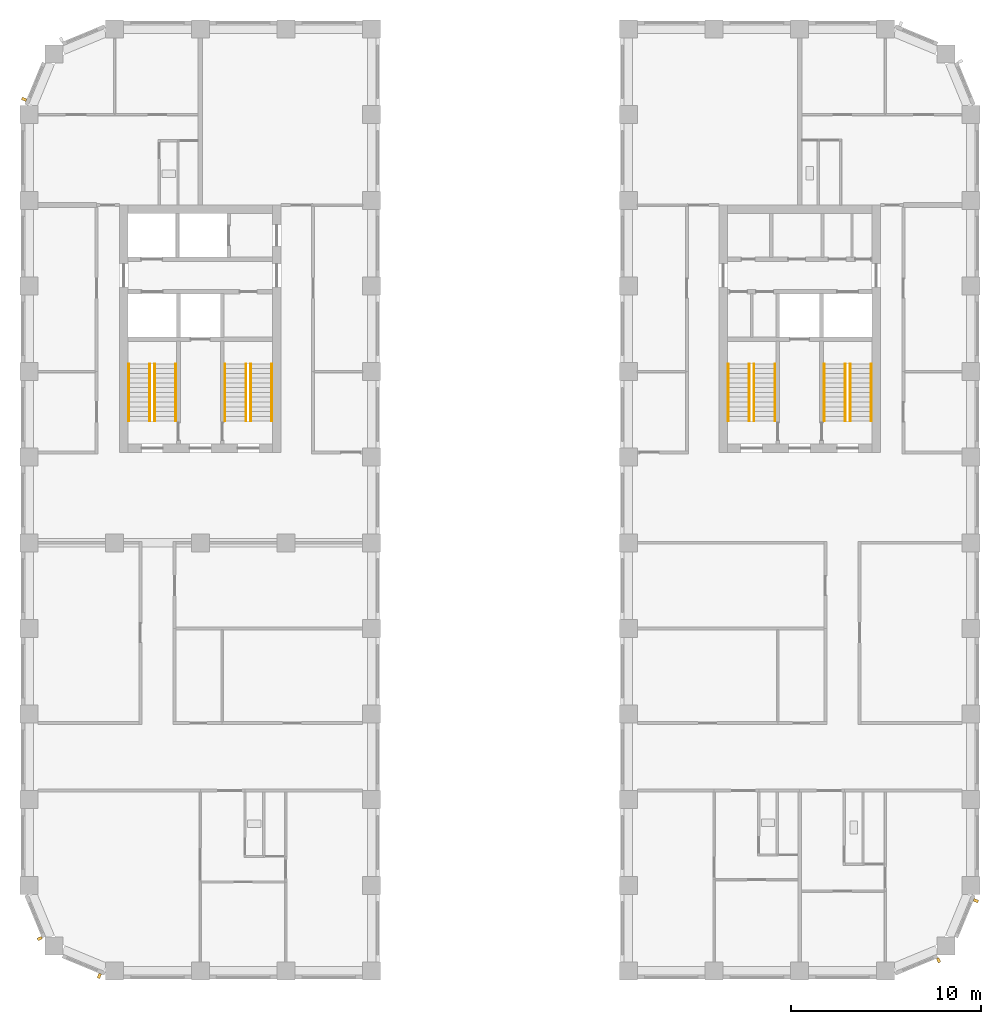
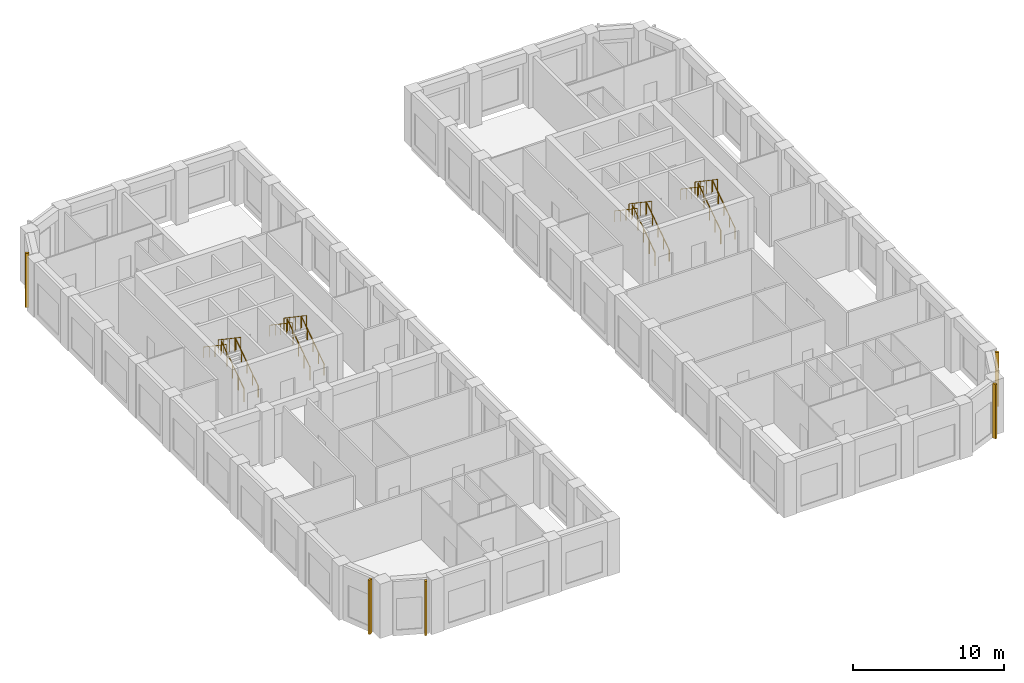
# One storey, part 11 of 13: 16 railings, 5 shading devices.
"""IFC4 building model written with IfcOpenShell, lengths in metres."""

from ifc_helpers import new_model, si_unit, direction, frame, origin, origin_2d, place, context, subcontext, project, spatial, rectangle, circle, extrude, material, type_object, element, save


model = new_model("IFC4")

# Units and contexts
model_context = context("Model", 3, precision=1e-05, world=origin(), true_north=direction((0.0, 1.0)))
body_context = subcontext(model_context, "Body", "Model", "MODEL_VIEW")
ifc_project = project(units=[si_unit("LENGTHUNIT", "METRE"), si_unit("AREAUNIT", "SQUARE_METRE"), si_unit("VOLUMEUNIT", "CUBIC_METRE"), si_unit("PLANEANGLEUNIT", "RADIAN"), si_unit("MASSUNIT", "GRAM", prefix="KILO")], contexts=[model_context])

# Site, building, storey
site_placement = place(None, origin())
site = spatial("IfcSite", under=ifc_project, at=site_placement, CompositionType="ELEMENT")
building_placement = place(site_placement, origin())
building = spatial("IfcBuilding", under=site, at=building_placement, Name="Girih Gate Residences", CompositionType="ELEMENT")
storey_placement = place(building_placement, frame((0.0, 0.0, 150.60009765625)))
storey = spatial("IfcBuildingStorey", under=building, at=storey_placement, Name="L42", CompositionType="ELEMENT", Elevation=150.60009765625)

# Shading devices
ifc_material_1 = material(Name="Precast concrete C50/60", Category="concrete")
shading_device_type = type_object("IfcShadingDeviceType", Name="Corner rib 150x250", PredefinedType="USERDEFINED", material=ifc_material_1)
for number, where, z_axis, x_axis, name in (
    (1, (-0.260498046875, 45.808349609375, 0.0), (0.0, 0.0, 1.0), (-0.382683432365, -0.923879532511, 0.0), "Corner rib NW0013_0482.0"),
    (2, (0.562255859375, 1.705322265625, 0.0), (0.0, 0.0, 1.0), (0.382683432365, -0.923879532511, 0.0), "Corner rib SW0000_0045.0"),
    (3, (3.691650390625, -0.260498046875, 0.0), (0.0, 0.0, 1.0), (0.923879532511, -0.382683432365, 0.0), "Corner rib SW0013_0013.0"),
    (4, (47.794677734375, 0.562255859375, 0.0), (0.0, 0.0, 1.0), (0.923879532511, 0.382683432365, 0.0), "Corner rib SE0450_0000.0"),
    (5, (49.760498046875, 3.691650390625, 0.0), (0.0, 0.0, 1.0), (0.382683432365, 0.923879532511, 0.0), "Corner rib SE0482_0013.0"),
):
    element("IfcShadingDevice", number, at=place(storey_placement, frame(where, z_axis=z_axis, x_axis=x_axis)), inside=storey, type_object=shading_device_type, Name=name, ObjectType="FIN", PredefinedType="USERDEFINED", context=body_context, shape_type="SweptSolid", body=[
        extrude(rectangle(XDim=0.14990234375, YDim=0.25, at=origin_2d()), origin(), (0.0, 0.0, 1.0), 4.39990234375),
    ])

# Railings
ifc_material_2 = material(Name="Stainless steel", Category="steel")
railing_type_1 = type_object("IfcRailingType", Name="Stair guard 1100", PredefinedType="GUARDRAIL", material=ifc_material_2)
railing_1_placement = place(storey_placement, frame((6.60009765625, 28.89990234375, 0.169189453125)))
element("IfcRailing", 6, at=railing_1_placement, inside=storey, type_object=railing_type_1, Name="L42 ST-W1 stair guard 1", PredefinedType="GUARDRAIL", context=body_context, shape_type="SweptSolid", body=[
    extrude(circle(Radius=0.02392578125, at=origin_2d()), frame((0.0, 0.0, 1.076171875), z_axis=(0.0, 0.828110434718, 0.560564989908), x_axis=(-1.0, 0.0, 0.0)), (0.0, 0.0, 1.0), 3.622802734375),
    extrude(circle(Radius=0.02099609375, at=origin_2d()), origin(), (0.0, 0.0, 1.0), 1.052001953125),
    extrude(circle(Radius=0.02099609375, at=origin_2d()), frame((0.0, 0.75, 0.5078125)), (0.0, 0.0, 1.0), 1.052001953125),
    extrude(circle(Radius=0.02099609375, at=origin_2d()), frame((0.0, 1.5, 1.015380859375)), (0.0, 0.0, 1.0), 1.052001953125),
    extrude(circle(Radius=0.02099609375, at=origin_2d()), frame((0.0, 2.25, 1.52294921875)), (0.0, 0.0, 1.0), 1.052001953125),
    extrude(circle(Radius=0.02099609375, at=origin_2d()), frame((0.0, 3.0, 2.03076171875)), (0.0, 0.0, 1.0), 1.052001953125),
])
railing_2_placement = place(storey_placement, frame((6.35009765625, 31.89990234375, 2.369140625)))
element("IfcRailing", 7, at=railing_2_placement, inside=storey, type_object=railing_type_1, Name="L42 ST-W1 stair guard 2", PredefinedType="GUARDRAIL", context=body_context, shape_type="SweptSolid", body=[
    extrude(circle(Radius=0.02392578125, at=origin_2d()), frame((0.0, 0.0, 1.076171875), z_axis=(0.0, -0.828110434718, 0.560564989908), x_axis=(1.0, 0.0, 0.0)), (0.0, 0.0, 1.0), 3.622802734375),
    extrude(circle(Radius=0.02099609375, at=origin_2d()), origin(), (0.0, 0.0, 1.0), 1.052001953125),
    extrude(circle(Radius=0.02099609375, at=origin_2d()), frame((0.0, -0.75, 0.5078125)), (0.0, 0.0, 1.0), 1.052001953125),
    extrude(circle(Radius=0.02099609375, at=origin_2d()), frame((0.0, -1.5, 1.015380859375)), (0.0, 0.0, 1.0), 1.052001953125),
    extrude(circle(Radius=0.02099609375, at=origin_2d()), frame((0.0, -2.25, 1.52294921875)), (0.0, 0.0, 1.0), 1.052001953125),
    extrude(circle(Radius=0.02099609375, at=origin_2d()), frame((0.0, -3.0, 2.03076171875)), (0.0, 0.0, 1.0), 1.052001953125),
])
railing_3_placement = place(storey_placement, frame((11.64990234375, 28.89990234375, 0.169189453125)))
element("IfcRailing", 8, at=railing_3_placement, inside=storey, type_object=railing_type_1, Name="L42 ST-W2 stair guard 1", PredefinedType="GUARDRAIL", context=body_context, shape_type="SweptSolid", body=[
    extrude(circle(Radius=0.02392578125, at=origin_2d()), frame((0.0, 0.0, 1.076171875), z_axis=(0.0, 0.828110434718, 0.560564989908), x_axis=(-1.0, 0.0, 0.0)), (0.0, 0.0, 1.0), 3.622802734375),
    extrude(circle(Radius=0.02099609375, at=origin_2d()), origin(), (0.0, 0.0, 1.0), 1.052001953125),
    extrude(circle(Radius=0.02099609375, at=origin_2d()), frame((0.0, 0.75, 0.5078125)), (0.0, 0.0, 1.0), 1.052001953125),
    extrude(circle(Radius=0.02099609375, at=origin_2d()), frame((0.0, 1.5, 1.015380859375)), (0.0, 0.0, 1.0), 1.052001953125),
    extrude(circle(Radius=0.02099609375, at=origin_2d()), frame((0.0, 2.25, 1.52294921875)), (0.0, 0.0, 1.0), 1.052001953125),
    extrude(circle(Radius=0.02099609375, at=origin_2d()), frame((0.0, 3.0, 2.03076171875)), (0.0, 0.0, 1.0), 1.052001953125),
])
railing_4_placement = place(storey_placement, frame((11.39990234375, 31.89990234375, 2.369140625)))
element("IfcRailing", 9, at=railing_4_placement, inside=storey, type_object=railing_type_1, Name="L42 ST-W2 stair guard 2", PredefinedType="GUARDRAIL", context=body_context, shape_type="SweptSolid", body=[
    extrude(circle(Radius=0.02392578125, at=origin_2d()), frame((0.0, 0.0, 1.076171875), z_axis=(0.0, -0.828110434718, 0.560564989908), x_axis=(1.0, 0.0, 0.0)), (0.0, 0.0, 1.0), 3.622802734375),
    extrude(circle(Radius=0.02099609375, at=origin_2d()), origin(), (0.0, 0.0, 1.0), 1.052001953125),
    extrude(circle(Radius=0.02099609375, at=origin_2d()), frame((0.0, -0.75, 0.5078125)), (0.0, 0.0, 1.0), 1.052001953125),
    extrude(circle(Radius=0.02099609375, at=origin_2d()), frame((0.0, -1.5, 1.015380859375)), (0.0, 0.0, 1.0), 1.052001953125),
    extrude(circle(Radius=0.02099609375, at=origin_2d()), frame((0.0, -2.25, 1.52294921875)), (0.0, 0.0, 1.0), 1.052001953125),
    extrude(circle(Radius=0.02099609375, at=origin_2d()), frame((0.0, -3.0, 2.03076171875)), (0.0, 0.0, 1.0), 1.052001953125),
])
railing_5_placement = place(storey_placement, frame((43.14990234375, 28.89990234375, 0.169189453125)))
element("IfcRailing", 10, at=railing_5_placement, inside=storey, type_object=railing_type_1, Name="L42 ST-E1 stair guard 1", PredefinedType="GUARDRAIL", context=body_context, shape_type="SweptSolid", body=[
    extrude(circle(Radius=0.02392578125, at=origin_2d()), frame((0.0, 0.0, 1.076171875), z_axis=(0.0, 0.828110434718, 0.560564989908), x_axis=(-1.0, 0.0, 0.0)), (0.0, 0.0, 1.0), 3.622802734375),
    extrude(circle(Radius=0.02099609375, at=origin_2d()), origin(), (0.0, 0.0, 1.0), 1.052001953125),
    extrude(circle(Radius=0.02099609375, at=origin_2d()), frame((0.0, 0.75, 0.5078125)), (0.0, 0.0, 1.0), 1.052001953125),
    extrude(circle(Radius=0.02099609375, at=origin_2d()), frame((0.0, 1.5, 1.015380859375)), (0.0, 0.0, 1.0), 1.052001953125),
    extrude(circle(Radius=0.02099609375, at=origin_2d()), frame((0.0, 2.25, 1.52294921875)), (0.0, 0.0, 1.0), 1.052001953125),
    extrude(circle(Radius=0.02099609375, at=origin_2d()), frame((0.0, 3.0, 2.03076171875)), (0.0, 0.0, 1.0), 1.052001953125),
])
railing_6_placement = place(storey_placement, frame((42.89990234375, 31.89990234375, 2.369140625)))
element("IfcRailing", 11, at=railing_6_placement, inside=storey, type_object=railing_type_1, Name="L42 ST-E1 stair guard 2", PredefinedType="GUARDRAIL", context=body_context, shape_type="SweptSolid", body=[
    extrude(circle(Radius=0.02392578125, at=origin_2d()), frame((0.0, 0.0, 1.076171875), z_axis=(0.0, -0.828110434718, 0.560564989908), x_axis=(1.0, 0.0, 0.0)), (0.0, 0.0, 1.0), 3.622802734375),
    extrude(circle(Radius=0.02099609375, at=origin_2d()), origin(), (0.0, 0.0, 1.0), 1.052001953125),
    extrude(circle(Radius=0.02099609375, at=origin_2d()), frame((0.0, -0.75, 0.5078125)), (0.0, 0.0, 1.0), 1.052001953125),
    extrude(circle(Radius=0.02099609375, at=origin_2d()), frame((0.0, -1.5, 1.015380859375)), (0.0, 0.0, 1.0), 1.052001953125),
    extrude(circle(Radius=0.02099609375, at=origin_2d()), frame((0.0, -2.25, 1.52294921875)), (0.0, 0.0, 1.0), 1.052001953125),
    extrude(circle(Radius=0.02099609375, at=origin_2d()), frame((0.0, -3.0, 2.03076171875)), (0.0, 0.0, 1.0), 1.052001953125),
])
railing_7_placement = place(storey_placement, frame((38.10009765625, 28.89990234375, 0.169189453125)))
element("IfcRailing", 12, at=railing_7_placement, inside=storey, type_object=railing_type_1, Name="L42 ST-E2 stair guard 1", PredefinedType="GUARDRAIL", context=body_context, shape_type="SweptSolid", body=[
    extrude(circle(Radius=0.02392578125, at=origin_2d()), frame((0.0, 0.0, 1.076171875), z_axis=(0.0, 0.828110434718, 0.560564989908), x_axis=(-1.0, 0.0, 0.0)), (0.0, 0.0, 1.0), 3.622802734375),
    extrude(circle(Radius=0.02099609375, at=origin_2d()), origin(), (0.0, 0.0, 1.0), 1.052001953125),
    extrude(circle(Radius=0.02099609375, at=origin_2d()), frame((0.0, 0.75, 0.5078125)), (0.0, 0.0, 1.0), 1.052001953125),
    extrude(circle(Radius=0.02099609375, at=origin_2d()), frame((0.0, 1.5, 1.015380859375)), (0.0, 0.0, 1.0), 1.052001953125),
    extrude(circle(Radius=0.02099609375, at=origin_2d()), frame((0.0, 2.25, 1.52294921875)), (0.0, 0.0, 1.0), 1.052001953125),
    extrude(circle(Radius=0.02099609375, at=origin_2d()), frame((0.0, 3.0, 2.03076171875)), (0.0, 0.0, 1.0), 1.052001953125),
])
railing_8_placement = place(storey_placement, frame((37.85009765625, 31.89990234375, 2.369140625)))
element("IfcRailing", 13, at=railing_8_placement, inside=storey, type_object=railing_type_1, Name="L42 ST-E2 stair guard 2", PredefinedType="GUARDRAIL", context=body_context, shape_type="SweptSolid", body=[
    extrude(circle(Radius=0.02392578125, at=origin_2d()), frame((0.0, 0.0, 1.076171875), z_axis=(0.0, -0.828110434718, 0.560564989908), x_axis=(1.0, 0.0, 0.0)), (0.0, 0.0, 1.0), 3.622802734375),
    extrude(circle(Radius=0.02099609375, at=origin_2d()), origin(), (0.0, 0.0, 1.0), 1.052001953125),
    extrude(circle(Radius=0.02099609375, at=origin_2d()), frame((0.0, -0.75, 0.5078125)), (0.0, 0.0, 1.0), 1.052001953125),
    extrude(circle(Radius=0.02099609375, at=origin_2d()), frame((0.0, -1.5, 1.015380859375)), (0.0, 0.0, 1.0), 1.052001953125),
    extrude(circle(Radius=0.02099609375, at=origin_2d()), frame((0.0, -2.25, 1.52294921875)), (0.0, 0.0, 1.0), 1.052001953125),
    extrude(circle(Radius=0.02099609375, at=origin_2d()), frame((0.0, -3.0, 2.03076171875)), (0.0, 0.0, 1.0), 1.052001953125),
])
railing_type_2 = type_object("IfcRailingType", Name="Stair handrail 900", PredefinedType="HANDRAIL", material=ifc_material_2)
railing_9_placement = place(storey_placement, frame((7.699951171875, 28.89990234375, 0.169189453125)))
element("IfcRailing", 14, at=railing_9_placement, inside=storey, type_object=railing_type_2, Name="L42 ST-W1 stair handrail 1", PredefinedType="HANDRAIL", context=body_context, shape_type="SweptSolid", body=[
    extrude(circle(Radius=0.02392578125, at=origin_2d()), frame((0.0, 0.0, 0.8857421875), z_axis=(0.0, 0.828110434718, 0.560564989908), x_axis=(-1.0, 0.0, 0.0)), (0.0, 0.0, 1.0), 3.622802734375),
    extrude(circle(Radius=0.02099609375, at=origin_2d()), origin(), (0.0, 0.0, 1.0), 0.86181640625),
    extrude(circle(Radius=0.02099609375, at=origin_2d()), frame((0.0, 0.75, 0.5078125)), (0.0, 0.0, 1.0), 0.86181640625),
    extrude(circle(Radius=0.02099609375, at=origin_2d()), frame((0.0, 1.5, 1.015380859375)), (0.0, 0.0, 1.0), 0.86181640625),
    extrude(circle(Radius=0.02099609375, at=origin_2d()), frame((0.0, 2.25, 1.52294921875)), (0.0, 0.0, 1.0), 0.86181640625),
    extrude(circle(Radius=0.02099609375, at=origin_2d()), frame((0.0, 3.0, 2.03076171875)), (0.0, 0.0, 1.0), 0.86181640625),
])
railing_10_placement = place(storey_placement, frame((5.25, 31.89990234375, 2.369140625)))
element("IfcRailing", 15, at=railing_10_placement, inside=storey, type_object=railing_type_2, Name="L42 ST-W1 stair handrail 2", PredefinedType="HANDRAIL", context=body_context, shape_type="SweptSolid", body=[
    extrude(circle(Radius=0.02392578125, at=origin_2d()), frame((0.0, 0.0, 0.8857421875), z_axis=(0.0, -0.828110434718, 0.560564989908), x_axis=(1.0, 0.0, 0.0)), (0.0, 0.0, 1.0), 3.622802734375),
    extrude(circle(Radius=0.02099609375, at=origin_2d()), origin(), (0.0, 0.0, 1.0), 0.86181640625),
    extrude(circle(Radius=0.02099609375, at=origin_2d()), frame((0.0, -0.75, 0.5078125)), (0.0, 0.0, 1.0), 0.86181640625),
    extrude(circle(Radius=0.02099609375, at=origin_2d()), frame((0.0, -1.5, 1.015380859375)), (0.0, 0.0, 1.0), 0.86181640625),
    extrude(circle(Radius=0.02099609375, at=origin_2d()), frame((0.0, -2.25, 1.52294921875)), (0.0, 0.0, 1.0), 0.86181640625),
    extrude(circle(Radius=0.02099609375, at=origin_2d()), frame((0.0, -3.0, 2.03076171875)), (0.0, 0.0, 1.0), 0.86181640625),
])
railing_11_placement = place(storey_placement, frame((12.75, 28.89990234375, 0.169189453125)))
element("IfcRailing", 16, at=railing_11_placement, inside=storey, type_object=railing_type_2, Name="L42 ST-W2 stair handrail 1", PredefinedType="HANDRAIL", context=body_context, shape_type="SweptSolid", body=[
    extrude(circle(Radius=0.02392578125, at=origin_2d()), frame((0.0, 0.0, 0.8857421875), z_axis=(0.0, 0.828110434718, 0.560564989908), x_axis=(-1.0, 0.0, 0.0)), (0.0, 0.0, 1.0), 3.622802734375),
    extrude(circle(Radius=0.02099609375, at=origin_2d()), origin(), (0.0, 0.0, 1.0), 0.86181640625),
    extrude(circle(Radius=0.02099609375, at=origin_2d()), frame((0.0, 0.75, 0.5078125)), (0.0, 0.0, 1.0), 0.86181640625),
    extrude(circle(Radius=0.02099609375, at=origin_2d()), frame((0.0, 1.5, 1.015380859375)), (0.0, 0.0, 1.0), 0.86181640625),
    extrude(circle(Radius=0.02099609375, at=origin_2d()), frame((0.0, 2.25, 1.52294921875)), (0.0, 0.0, 1.0), 0.86181640625),
    extrude(circle(Radius=0.02099609375, at=origin_2d()), frame((0.0, 3.0, 2.03076171875)), (0.0, 0.0, 1.0), 0.86181640625),
])
railing_12_placement = place(storey_placement, frame((10.300048828125, 31.89990234375, 2.369140625)))
element("IfcRailing", 17, at=railing_12_placement, inside=storey, type_object=railing_type_2, Name="L42 ST-W2 stair handrail 2", PredefinedType="HANDRAIL", context=body_context, shape_type="SweptSolid", body=[
    extrude(circle(Radius=0.02392578125, at=origin_2d()), frame((0.0, 0.0, 0.8857421875), z_axis=(0.0, -0.828110434718, 0.560564989908), x_axis=(1.0, 0.0, 0.0)), (0.0, 0.0, 1.0), 3.622802734375),
    extrude(circle(Radius=0.02099609375, at=origin_2d()), origin(), (0.0, 0.0, 1.0), 0.86181640625),
    extrude(circle(Radius=0.02099609375, at=origin_2d()), frame((0.0, -0.75, 0.5078125)), (0.0, 0.0, 1.0), 0.86181640625),
    extrude(circle(Radius=0.02099609375, at=origin_2d()), frame((0.0, -1.5, 1.015380859375)), (0.0, 0.0, 1.0), 0.86181640625),
    extrude(circle(Radius=0.02099609375, at=origin_2d()), frame((0.0, -2.25, 1.52294921875)), (0.0, 0.0, 1.0), 0.86181640625),
    extrude(circle(Radius=0.02099609375, at=origin_2d()), frame((0.0, -3.0, 2.03076171875)), (0.0, 0.0, 1.0), 0.86181640625),
])
railing_13_placement = place(storey_placement, frame((44.25, 28.89990234375, 0.169189453125)))
element("IfcRailing", 18, at=railing_13_placement, inside=storey, type_object=railing_type_2, Name="L42 ST-E1 stair handrail 1", PredefinedType="HANDRAIL", context=body_context, shape_type="SweptSolid", body=[
    extrude(circle(Radius=0.02392578125, at=origin_2d()), frame((0.0, 0.0, 0.8857421875), z_axis=(0.0, 0.828110434718, 0.560564989908), x_axis=(-1.0, 0.0, 0.0)), (0.0, 0.0, 1.0), 3.622802734375),
    extrude(circle(Radius=0.02099609375, at=origin_2d()), origin(), (0.0, 0.0, 1.0), 0.86181640625),
    extrude(circle(Radius=0.02099609375, at=origin_2d()), frame((0.0, 0.75, 0.5078125)), (0.0, 0.0, 1.0), 0.86181640625),
    extrude(circle(Radius=0.02099609375, at=origin_2d()), frame((0.0, 1.5, 1.015380859375)), (0.0, 0.0, 1.0), 0.86181640625),
    extrude(circle(Radius=0.02099609375, at=origin_2d()), frame((0.0, 2.25, 1.52294921875)), (0.0, 0.0, 1.0), 0.86181640625),
    extrude(circle(Radius=0.02099609375, at=origin_2d()), frame((0.0, 3.0, 2.03076171875)), (0.0, 0.0, 1.0), 0.86181640625),
])
railing_14_placement = place(storey_placement, frame((41.800048828125, 31.89990234375, 2.369140625)))
element("IfcRailing", 19, at=railing_14_placement, inside=storey, type_object=railing_type_2, Name="L42 ST-E1 stair handrail 2", PredefinedType="HANDRAIL", context=body_context, shape_type="SweptSolid", body=[
    extrude(circle(Radius=0.02392578125, at=origin_2d()), frame((0.0, 0.0, 0.8857421875), z_axis=(0.0, -0.828110434718, 0.560564989908), x_axis=(1.0, 0.0, 0.0)), (0.0, 0.0, 1.0), 3.622802734375),
    extrude(circle(Radius=0.02099609375, at=origin_2d()), origin(), (0.0, 0.0, 1.0), 0.86181640625),
    extrude(circle(Radius=0.02099609375, at=origin_2d()), frame((0.0, -0.75, 0.5078125)), (0.0, 0.0, 1.0), 0.86181640625),
    extrude(circle(Radius=0.02099609375, at=origin_2d()), frame((0.0, -1.5, 1.015380859375)), (0.0, 0.0, 1.0), 0.86181640625),
    extrude(circle(Radius=0.02099609375, at=origin_2d()), frame((0.0, -2.25, 1.52294921875)), (0.0, 0.0, 1.0), 0.86181640625),
    extrude(circle(Radius=0.02099609375, at=origin_2d()), frame((0.0, -3.0, 2.03076171875)), (0.0, 0.0, 1.0), 0.86181640625),
])
railing_15_placement = place(storey_placement, frame((39.199951171875, 28.89990234375, 0.169189453125)))
element("IfcRailing", 20, at=railing_15_placement, inside=storey, type_object=railing_type_2, Name="L42 ST-E2 stair handrail 1", PredefinedType="HANDRAIL", context=body_context, shape_type="SweptSolid", body=[
    extrude(circle(Radius=0.02392578125, at=origin_2d()), frame((0.0, 0.0, 0.8857421875), z_axis=(0.0, 0.828110434718, 0.560564989908), x_axis=(-1.0, 0.0, 0.0)), (0.0, 0.0, 1.0), 3.622802734375),
    extrude(circle(Radius=0.02099609375, at=origin_2d()), origin(), (0.0, 0.0, 1.0), 0.86181640625),
    extrude(circle(Radius=0.02099609375, at=origin_2d()), frame((0.0, 0.75, 0.5078125)), (0.0, 0.0, 1.0), 0.86181640625),
    extrude(circle(Radius=0.02099609375, at=origin_2d()), frame((0.0, 1.5, 1.015380859375)), (0.0, 0.0, 1.0), 0.86181640625),
    extrude(circle(Radius=0.02099609375, at=origin_2d()), frame((0.0, 2.25, 1.52294921875)), (0.0, 0.0, 1.0), 0.86181640625),
    extrude(circle(Radius=0.02099609375, at=origin_2d()), frame((0.0, 3.0, 2.03076171875)), (0.0, 0.0, 1.0), 0.86181640625),
])
railing_16_placement = place(storey_placement, frame((36.75, 31.89990234375, 2.369140625)))
element("IfcRailing", 21, at=railing_16_placement, inside=storey, type_object=railing_type_2, Name="L42 ST-E2 stair handrail 2", PredefinedType="HANDRAIL", context=body_context, shape_type="SweptSolid", body=[
    extrude(circle(Radius=0.02392578125, at=origin_2d()), frame((0.0, 0.0, 0.8857421875), z_axis=(0.0, -0.828110434718, 0.560564989908), x_axis=(1.0, 0.0, 0.0)), (0.0, 0.0, 1.0), 3.622802734375),
    extrude(circle(Radius=0.02099609375, at=origin_2d()), origin(), (0.0, 0.0, 1.0), 0.86181640625),
    extrude(circle(Radius=0.02099609375, at=origin_2d()), frame((0.0, -0.75, 0.5078125)), (0.0, 0.0, 1.0), 0.86181640625),
    extrude(circle(Radius=0.02099609375, at=origin_2d()), frame((0.0, -1.5, 1.015380859375)), (0.0, 0.0, 1.0), 0.86181640625),
    extrude(circle(Radius=0.02099609375, at=origin_2d()), frame((0.0, -2.25, 1.52294921875)), (0.0, 0.0, 1.0), 0.86181640625),
    extrude(circle(Radius=0.02099609375, at=origin_2d()), frame((0.0, -3.0, 2.03076171875)), (0.0, 0.0, 1.0), 0.86181640625),
])

save(model, "model.ifc")
